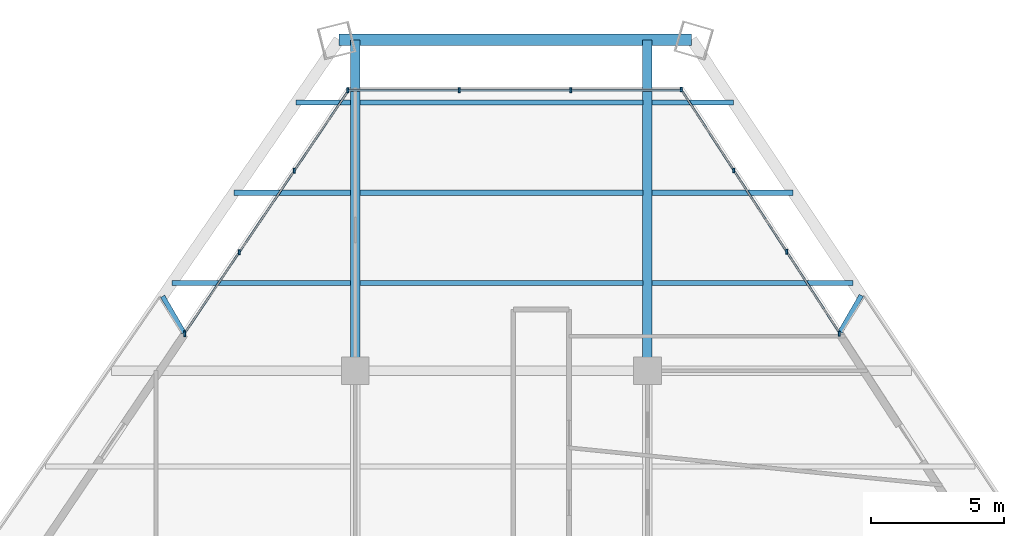
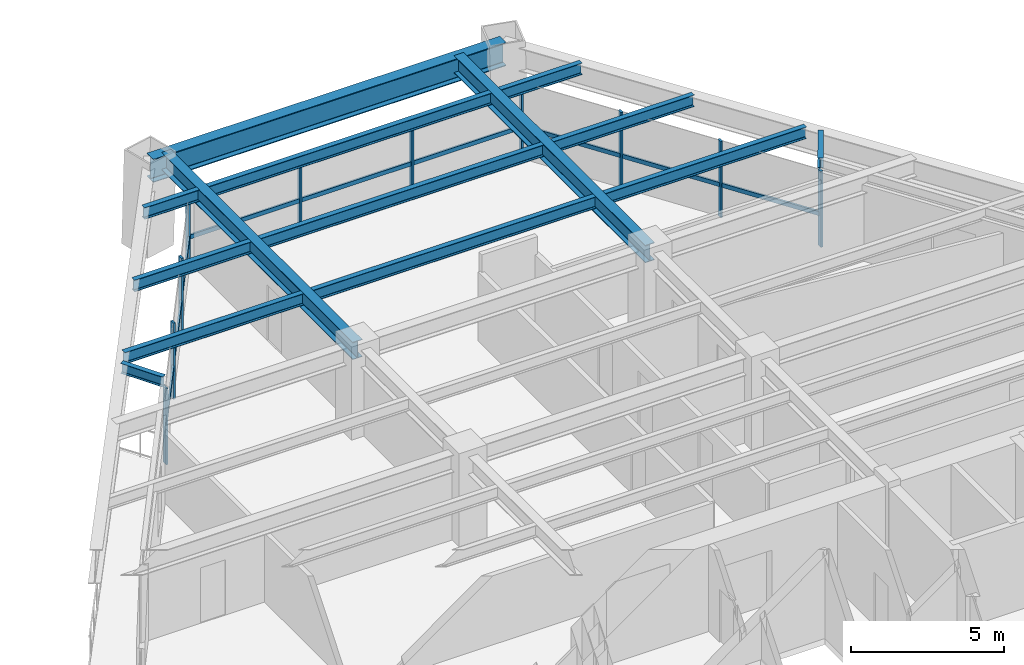
# One storey, part 8 of 14: 20 members, 14 beams, 3 elements without a shape of their own.
"""IFC4 building model written with IfcOpenShell, lengths in metres."""

from ifc_helpers import new_model, si_unit, direction, frame, origin, origin_2d, place, context, subcontext, project, spatial, rectangle, i_section, extrude, source, transform, mapped, material, material_profile, profile_set, type_object, type_shapes, element, aggregate, save


model = new_model("IFC4")

# Units and contexts
model_context = context("Model", 3, precision=1e-05, world=origin(), true_north=direction((0.0, 1.0)))
body_context = subcontext(model_context, "Body", "Model", "MODEL_VIEW")
ifc_project = project(units=[si_unit("LENGTHUNIT", "METRE"), si_unit("AREAUNIT", "SQUARE_METRE"), si_unit("VOLUMEUNIT", "CUBIC_METRE"), si_unit("PLANEANGLEUNIT", "RADIAN"), si_unit("MASSUNIT", "GRAM", prefix="KILO")], contexts=[model_context])

# Site, building, storey
site_placement = place(None, origin())
site = spatial("IfcSite", under=ifc_project, at=site_placement, CompositionType="ELEMENT")
building_placement = place(site_placement, origin())
building = spatial("IfcBuilding", under=site, at=building_placement, Name="Varnakhor Terracotta Tower", CompositionType="ELEMENT")
storey_placement = place(building_placement, frame((0.0, 0.0, 87.699951171875)))
storey = spatial("IfcBuildingStorey", under=building, at=storey_placement, Name="L21", CompositionType="ELEMENT", Elevation=87.699951171875)

# Beams
ifc_material_1 = material(Name="Steel S355", Category="steel")
ifc_material_profile_1 = material_profile(ifc_material_1, i_section(OverallWidth=0.19189453125, OverallDepth=0.462890625, WebThickness=0.010498046875, FlangeThickness=0.017578125, FilletRadius=0.01806640625, at=origin_2d()), Name="W18X60")
ifc_profile_set_1 = profile_set([ifc_material_profile_1], Name="Steel S355")
beam_type_1 = type_object("IfcBeamType", Name="JST-W18X60", PredefinedType="JOIST", material=ifc_profile_set_1)
shared_shape_1 = source(origin(), body_context, "Body", "SweptSolid", [
    extrude(i_section(OverallWidth=0.19189453125, OverallDepth=0.462890625, WebThickness=0.010498046875, FlangeThickness=0.017578125, FilletRadius=0.01806640625, at=origin_2d()), origin(), (0.0, 0.0, 1.0), 10.65283203125),
])
for number, where, z_axis, x_axis, name in (
    (1, (-5.326416015625, 34.800048828125, 3.218505859375), (1.0, 0.0, 0.0), (0.0, 1.0, 0.0), "L21 Composite Floor Joist 7-2"),
    (2, (-5.326416015625, 38.199951171875, 3.218505859375), (1.0, 0.0, 0.0), (0.0, 1.0, 0.0), "L21 Composite Floor Joist 8-2"),
    (3, (-5.326416015625, 41.60009765625, 3.218505859375), (1.0, 0.0, 0.0), (0.0, 1.0, 0.0), "L21 Composite Floor Joist 9-2"),
):
    element("IfcBeam", number, at=place(storey_placement, frame(where, z_axis=z_axis, x_axis=x_axis)), inside=storey, type_object=beam_type_1, Name=name, PredefinedType="JOIST", context=body_context, shape_type="MappedRepresentation", body=[
        mapped(shared_shape_1, transform((0.0, 0.0, 0.0), scale=1.0)),
    ])
ifc_material_profile_2 = material_profile(ifc_material_1, i_section(OverallWidth=0.41796875, OverallDepth=0.927001953125, WebThickness=0.01904296875, FlangeThickness=0.031982421875, FilletRadius=0.01806640625, at=origin_2d()), Name="W36X231")
ifc_profile_set_2 = profile_set([ifc_material_profile_2], Name="Steel S355")
beam_type_2 = type_object("IfcBeamType", Name="BM-W36X231", PredefinedType="BEAM", material=ifc_profile_set_2)
shared_shape_2 = source(origin(), body_context, "Body", "SweptSolid", [
    extrude(i_section(OverallWidth=0.41796875, OverallDepth=0.927001953125, WebThickness=0.01904296875, FlangeThickness=0.031982421875, FilletRadius=0.01806640625, at=origin_2d()), origin(), (0.0, 0.0, 1.0), 13.27294921875),
])
beam_1_placement = place(storey_placement, frame((7.1650390625, 43.959228515625, 2.986572265625), z_axis=(-1.0, 0.0, 0.0), x_axis=(0.0, -1.0, 0.0)))
element("IfcBeam", 4, at=beam_1_placement, inside=storey, type_object=beam_type_2, Name="L21 Perimeter Spandrel 5", PredefinedType="BEAM", context=body_context, shape_type="MappedRepresentation", body=[
    mapped(shared_shape_2, transform((0.0, 0.0, 0.0), scale=1.0)),
])
ifc_material_profile_3 = material_profile(ifc_material_1, i_section(OverallWidth=0.35498046875, OverallDepth=0.695068359375, WebThickness=0.014892578125, FlangeThickness=0.02490234375, FilletRadius=0.01806640625, at=origin_2d()), Name="W27X146")
ifc_profile_set_3 = profile_set([ifc_material_profile_3], Name="Steel S355")
beam_type_3 = type_object("IfcBeamType", Name="BM-W27X146", PredefinedType="BEAM", material=ifc_profile_set_3)
shared_shape_3 = source(origin(), body_context, "Body", "SweptSolid", [
    extrude(i_section(OverallWidth=0.35498046875, OverallDepth=0.695068359375, WebThickness=0.014892578125, FlangeThickness=0.02490234375, FilletRadius=0.01806640625, at=origin_2d()), origin(), (0.0, 0.0, 1.0), 12.459228515625),
])
for number, where, z_axis, x_axis, name in (
    (5, (-5.5, 31.5, 3.1025390625), (0.0, 1.0, 0.0), (-1.0, 0.0, 0.0), "L21 Primary Girder NS3-W"),
    (6, (5.5, 31.5, 3.1025390625), (0.0, 1.0, 0.0), (-1.0, 0.0, 0.0), "L21 Primary Girder NS3-E"),
):
    element("IfcBeam", number, at=place(storey_placement, frame(where, z_axis=z_axis, x_axis=x_axis)), inside=storey, type_object=beam_type_3, Name=name, PredefinedType="BEAM", context=body_context, shape_type="MappedRepresentation", body=[
        mapped(shared_shape_3, transform((0.0, 0.0, 0.0), scale=1.0)),
    ])
shared_shape_4 = source(origin(), body_context, "Body", "SweptSolid", [
    extrude(i_section(OverallWidth=0.19189453125, OverallDepth=0.462890625, WebThickness=0.010498046875, FlangeThickness=0.017578125, FilletRadius=0.01806640625, at=origin_2d()), origin(), (0.0, 0.0, 1.0), 6.732666015625),
])
beam_2_placement = place(storey_placement, frame((-12.40625, 34.800048828125, 3.218505859375), z_axis=(1.0, 0.0, 0.0), x_axis=(0.0, 1.0, 0.0)))
element("IfcBeam", 7, at=beam_2_placement, inside=storey, type_object=beam_type_1, Name="L21 Composite Floor Joist 7-1", PredefinedType="JOIST", context=body_context, shape_type="MappedRepresentation", body=[
    mapped(shared_shape_4, transform((0.0, 0.0, 0.0), scale=1.0)),
])
shared_shape_5 = source(origin(), body_context, "Body", "SweptSolid", [
    extrude(i_section(OverallWidth=0.19189453125, OverallDepth=0.462890625, WebThickness=0.010498046875, FlangeThickness=0.017578125, FilletRadius=0.01806640625, at=origin_2d()), origin(), (0.0, 0.0, 1.0), 7.56982421875),
])
beam_3_placement = place(storey_placement, frame((5.673583984375, 34.800048828125, 3.218505859375), z_axis=(1.0, 0.0, 0.0), x_axis=(0.0, 1.0, 0.0)))
element("IfcBeam", 8, at=beam_3_placement, inside=storey, type_object=beam_type_1, Name="L21 Composite Floor Joist 7-3", PredefinedType="JOIST", context=body_context, shape_type="MappedRepresentation", body=[
    mapped(shared_shape_5, transform((0.0, 0.0, 0.0), scale=1.0)),
])
shared_shape_6 = source(origin(), body_context, "Body", "SweptSolid", [
    extrude(i_section(OverallWidth=0.19189453125, OverallDepth=0.462890625, WebThickness=0.010498046875, FlangeThickness=0.017578125, FilletRadius=0.01806640625, at=origin_2d()), origin(), (0.0, 0.0, 1.0), 4.394775390625),
])
beam_4_placement = place(storey_placement, frame((-10.068359375, 38.199951171875, 3.218505859375), z_axis=(1.0, 0.0, 0.0), x_axis=(0.0, 1.0, 0.0)))
element("IfcBeam", 9, at=beam_4_placement, inside=storey, type_object=beam_type_1, Name="L21 Composite Floor Joist 8-1", PredefinedType="JOIST", context=body_context, shape_type="MappedRepresentation", body=[
    mapped(shared_shape_6, transform((0.0, 0.0, 0.0), scale=1.0)),
])
shared_shape_7 = source(origin(), body_context, "Body", "SweptSolid", [
    extrude(i_section(OverallWidth=0.19189453125, OverallDepth=0.462890625, WebThickness=0.010498046875, FlangeThickness=0.017578125, FilletRadius=0.01806640625, at=origin_2d()), origin(), (0.0, 0.0, 1.0), 5.3134765625),
])
beam_5_placement = place(storey_placement, frame((5.673583984375, 38.199951171875, 3.218505859375), z_axis=(1.0, 0.0, 0.0), x_axis=(0.0, 1.0, 0.0)))
element("IfcBeam", 10, at=beam_5_placement, inside=storey, type_object=beam_type_1, Name="L21 Composite Floor Joist 8-3", PredefinedType="JOIST", context=body_context, shape_type="MappedRepresentation", body=[
    mapped(shared_shape_7, transform((0.0, 0.0, 0.0), scale=1.0)),
])
shared_shape_8 = source(origin(), body_context, "Body", "SweptSolid", [
    extrude(i_section(OverallWidth=0.19189453125, OverallDepth=0.462890625, WebThickness=0.010498046875, FlangeThickness=0.017578125, FilletRadius=0.01806640625, at=origin_2d()), origin(), (0.0, 0.0, 1.0), 2.056640625),
])
beam_6_placement = place(storey_placement, frame((-7.730224609375, 41.60009765625, 3.218505859375), z_axis=(1.0, 0.0, 0.0), x_axis=(0.0, 1.0, 0.0)))
element("IfcBeam", 11, at=beam_6_placement, inside=storey, type_object=beam_type_1, Name="L21 Composite Floor Joist 9-1", PredefinedType="JOIST", context=body_context, shape_type="MappedRepresentation", body=[
    mapped(shared_shape_8, transform((0.0, 0.0, 0.0), scale=1.0)),
])
shared_shape_9 = source(origin(), body_context, "Body", "SweptSolid", [
    extrude(i_section(OverallWidth=0.19189453125, OverallDepth=0.462890625, WebThickness=0.010498046875, FlangeThickness=0.017578125, FilletRadius=0.01806640625, at=origin_2d()), origin(), (0.0, 0.0, 1.0), 3.05712890625),
])
beam_7_placement = place(storey_placement, frame((5.673583984375, 41.60009765625, 3.218505859375), z_axis=(1.0, 0.0, 0.0), x_axis=(0.0, 1.0, 0.0)))
element("IfcBeam", 12, at=beam_7_placement, inside=storey, type_object=beam_type_1, Name="L21 Composite Floor Joist 9-3", PredefinedType="JOIST", context=body_context, shape_type="MappedRepresentation", body=[
    mapped(shared_shape_9, transform((0.0, 0.0, 0.0), scale=1.0)),
])

# Curtain wall, members
ifc_material_2 = material(Name="Anodised Aluminium Curtain Wall System", Category="aluminium")
curtain_wall_type = type_object("IfcCurtainWallType", Name="CW-SYS-LOW-OFFICE", PredefinedType="NOTDEFINED", material=ifc_material_2)
curtain_wall_1_placement = place(storey_placement, origin())
curtain_wall_1 = element("IfcCurtainWall", 13, at=curtain_wall_1_placement, inside=storey, type_object=curtain_wall_type, Name="L21 W Facet Curtain Wall 2", PredefinedType="NOTDEFINED")
ifc_material_3 = material(Name="Anodised Aluminium 6063-T6", Category="aluminium")
ifc_material_profile_4 = material_profile(ifc_material_3, rectangle(XDim=0.074951171875, YDim=0.18505859375, at=origin_2d()), Name="ALU MULLION 75x185")
ifc_profile_set_4 = profile_set([ifc_material_profile_4], Name="Anodised Aluminium 6063-T6")
member_type_1 = type_object("IfcMemberType", Name="CWM-02", PredefinedType="MULLION", material=ifc_profile_set_4)
shared_shape_10 = source(origin(), body_context, "Body", "SweptSolid", [
    extrude(rectangle(XDim=0.074951171875, YDim=0.18505859375, at=origin_2d()), origin(), (0.0, 0.0, 1.0), 3.030029296875),
])
type_shapes(member_type_1, [shared_shape_10])
member_1_placement = place(storey_placement, frame((-11.9267578125, 32.903564453125, 0.0), z_axis=(0.0, 0.0, 1.0), x_axis=(1.0, 0.0, 0.0)))
member_1 = element("IfcMember", 14, at=member_1_placement, type_object=member_type_1, Name="L21 W Facet Curtain Wall 2 Mullion 1", PredefinedType="MULLION", context=body_context, shape_type="MappedRepresentation", body=[
    mapped(shared_shape_10, transform((0.0, 0.0, 0.0), scale=1.0)),
])
member_2_placement = place(storey_placement, frame((-9.861083984375, 35.964599609375, 0.0), z_axis=(0.0, 0.0, 1.0), x_axis=(1.0, 0.0, 0.0)))
member_2 = element("IfcMember", 15, at=member_2_placement, type_object=member_type_1, Name="L21 W Facet Curtain Wall 2 Mullion 2", PredefinedType="MULLION", context=body_context, shape_type="MappedRepresentation", body=[
    mapped(shared_shape_10, transform((0.0, 0.0, 0.0), scale=1.0)),
])
member_3_placement = place(storey_placement, frame((-7.7958984375, 39.025390625, 0.0), z_axis=(0.0, 0.0, 1.0), x_axis=(1.0, 0.0, 0.0)))
member_3 = element("IfcMember", 16, at=member_3_placement, type_object=member_type_1, Name="L21 W Facet Curtain Wall 2 Mullion 3", PredefinedType="MULLION", context=body_context, shape_type="MappedRepresentation", body=[
    mapped(shared_shape_10, transform((0.0, 0.0, 0.0), scale=1.0)),
])
member_4_placement = place(storey_placement, frame((-11.927001953125, 32.867431640625, 0.0), z_axis=(0.0, 0.0, 1.0), x_axis=(1.0, 0.0, 0.0)))
member_4 = element("IfcMember", 17, at=member_4_placement, type_object=member_type_1, Name="L21 W Loggia Jamb Closure Mullion 2", PredefinedType="MULLION", context=body_context, shape_type="MappedRepresentation", body=[
    mapped(shared_shape_10, transform((0.0, 0.0, 0.0), scale=1.0)),
])

curtain_wall_2_placement = place(storey_placement, origin())
curtain_wall_2 = element("IfcCurtainWall", 18, at=curtain_wall_2_placement, inside=storey, type_object=curtain_wall_type, Name="L21 Facet Curtain Wall 2", PredefinedType="NOTDEFINED")
member_5_placement = place(storey_placement, frame((-5.782958984375, 42.05859375, 0.0), z_axis=(0.0, 0.0, 1.0), x_axis=(1.0, 0.0, 0.0)))
member_5 = element("IfcMember", 19, at=member_5_placement, type_object=member_type_1, Name="L21 Facet Curtain Wall 2 Mullion 1", PredefinedType="MULLION", context=body_context, shape_type="MappedRepresentation", body=[
    mapped(shared_shape_10, transform((0.0, 0.0, 0.0), scale=1.0)),
])
member_6_placement = place(storey_placement, frame((-1.58056640625, 42.05859375, 0.0), z_axis=(0.0, 0.0, 1.0), x_axis=(1.0, 0.0, 0.0)))
member_6 = element("IfcMember", 20, at=member_6_placement, type_object=member_type_1, Name="L21 Facet Curtain Wall 2 Mullion 2", PredefinedType="MULLION", context=body_context, shape_type="MappedRepresentation", body=[
    mapped(shared_shape_10, transform((0.0, 0.0, 0.0), scale=1.0)),
])
member_7_placement = place(storey_placement, frame((2.6220703125, 42.05859375, 0.0), z_axis=(0.0, 0.0, 1.0), x_axis=(1.0, 0.0, 0.0)))
member_7 = element("IfcMember", 21, at=member_7_placement, type_object=member_type_1, Name="L21 Facet Curtain Wall 2 Mullion 3", PredefinedType="MULLION", context=body_context, shape_type="MappedRepresentation", body=[
    mapped(shared_shape_10, transform((0.0, 0.0, 0.0), scale=1.0)),
])

curtain_wall_3_placement = place(storey_placement, origin())
curtain_wall_3 = element("IfcCurtainWall", 22, at=curtain_wall_3_placement, inside=storey, type_object=curtain_wall_type, Name="L21 E Facet Curtain Wall 1", PredefinedType="NOTDEFINED")
member_8_placement = place(storey_placement, frame((6.770263671875, 42.087890625, 0.0), z_axis=(0.0, 0.0, 1.0), x_axis=(1.0, 0.0, 0.0)))
member_8 = element("IfcMember", 23, at=member_8_placement, type_object=member_type_1, Name="L21 E Facet Curtain Wall 1 Mullion 1", PredefinedType="MULLION", context=body_context, shape_type="MappedRepresentation", body=[
    mapped(shared_shape_10, transform((0.0, 0.0, 0.0), scale=1.0)),
])
member_9_placement = place(storey_placement, frame((8.75341796875, 39.037109375, 0.0), z_axis=(0.0, 0.0, 1.0), x_axis=(1.0, 0.0, 0.0)))
member_9 = element("IfcMember", 24, at=member_9_placement, type_object=member_type_1, Name="L21 E Facet Curtain Wall 1 Mullion 2", PredefinedType="MULLION", context=body_context, shape_type="MappedRepresentation", body=[
    mapped(shared_shape_10, transform((0.0, 0.0, 0.0), scale=1.0)),
])
member_10_placement = place(storey_placement, frame((10.73681640625, 35.986328125, 0.0), z_axis=(0.0, 0.0, 1.0), x_axis=(1.0, 0.0, 0.0)))
member_10 = element("IfcMember", 25, at=member_10_placement, type_object=member_type_1, Name="L21 E Facet Curtain Wall 1 Mullion 3", PredefinedType="MULLION", context=body_context, shape_type="MappedRepresentation", body=[
    mapped(shared_shape_10, transform((0.0, 0.0, 0.0), scale=1.0)),
])
member_11_placement = place(storey_placement, frame((12.719482421875, 32.8994140625, 0.0), z_axis=(0.0, 0.0, 1.0), x_axis=(1.0, 0.0, 0.0)))
member_11 = element("IfcMember", 26, at=member_11_placement, type_object=member_type_1, Name="L21 E Loggia Jamb Closure Mullion 1", PredefinedType="MULLION", context=body_context, shape_type="MappedRepresentation", body=[
    mapped(shared_shape_10, transform((0.0, 0.0, 0.0), scale=1.0)),
])

# Member
ifc_material_profile_5 = material_profile(ifc_material_3, rectangle(XDim=0.074951171875, YDim=0.1650390625, at=origin_2d()), Name="ALU TRANSOM 75x165")
ifc_profile_set_5 = profile_set([ifc_material_profile_5], Name="Anodised Aluminium 6063-T6")
member_type_2 = type_object("IfcMemberType", Name="CWT-02", PredefinedType="USERDEFINED", material=ifc_profile_set_5)
shared_shape_11 = source(origin(), body_context, "Body", "SweptSolid", [
    extrude(rectangle(XDim=0.074951171875, YDim=0.1650390625, at=origin_2d()), origin(), (0.0, 0.0, 1.0), 3.69287109375),
])
member_12_placement = place(storey_placement, frame((-11.9267578125, 32.903564453125, 1.272705078125), z_axis=(0.559375201518, 0.828914581803, 0.0), x_axis=(-0.828914581803, 0.559375201518, 0.0)))
member_12 = element("IfcMember", 27, at=member_12_placement, type_object=member_type_2, Name="L21 W Facet Curtain Wall 2 Transom 1", ObjectType="TRANSOM", PredefinedType="USERDEFINED", context=body_context, shape_type="MappedRepresentation", body=[
    mapped(shared_shape_11, transform((0.0, 0.0, 0.0), scale=1.0)),
])

member_13_placement = place(storey_placement, frame((-7.7958984375, 39.025390625, 1.272705078125), z_axis=(0.559375201518, 0.828914581803, 0.0), x_axis=(-0.828914581803, 0.559375201518, 0.0)))
member_13 = element("IfcMember", 28, at=member_13_placement, type_object=member_type_2, Name="L21 W Facet Curtain Wall 2 Transom 3", ObjectType="TRANSOM", PredefinedType="USERDEFINED", context=body_context, shape_type="MappedRepresentation", body=[
    mapped(shared_shape_11, transform((0.0, 0.0, 0.0), scale=1.0)),
])

shared_shape_12 = source(origin(), body_context, "Body", "SweptSolid", [
    extrude(rectangle(XDim=0.074951171875, YDim=0.1650390625, at=origin_2d()), origin(), (0.0, 0.0, 1.0), 3.6923828125),
])
member_14_placement = place(storey_placement, frame((-9.861083984375, 35.964599609375, 1.272705078125), z_axis=(0.559314995526, 0.828955207342, 0.0), x_axis=(-0.828955207342, 0.559314995526, 0.0)))
member_14 = element("IfcMember", 29, at=member_14_placement, type_object=member_type_2, Name="L21 W Facet Curtain Wall 2 Transom 2", ObjectType="TRANSOM", PredefinedType="USERDEFINED", context=body_context, shape_type="MappedRepresentation", body=[
    mapped(shared_shape_12, transform((0.0, 0.0, 0.0), scale=1.0)),
])

aggregate(curtain_wall_1, [member_1, member_12, member_2, member_14, member_3, member_13, member_4])

shared_shape_13 = source(origin(), body_context, "Body", "SweptSolid", [
    extrude(rectangle(XDim=0.074951171875, YDim=0.1650390625, at=origin_2d()), origin(), (0.0, 0.0, 1.0), 4.202392578125),
])
member_15_placement = place(storey_placement, frame((-5.782958984375, 42.05859375, 1.272705078125), z_axis=(1.0, 0.0, 0.0), x_axis=(0.0, 1.0, 0.0)))
member_15 = element("IfcMember", 30, at=member_15_placement, type_object=member_type_2, Name="L21 Facet Curtain Wall 2 Transom 1", ObjectType="TRANSOM", PredefinedType="USERDEFINED", context=body_context, shape_type="MappedRepresentation", body=[
    mapped(shared_shape_13, transform((0.0, 0.0, 0.0), scale=1.0)),
])

member_16_placement = place(storey_placement, frame((2.6220703125, 42.05859375, 1.272705078125), z_axis=(1.0, 0.0, 0.0), x_axis=(0.0, 1.0, 0.0)))
member_16 = element("IfcMember", 31, at=member_16_placement, type_object=member_type_2, Name="L21 Facet Curtain Wall 2 Transom 3", ObjectType="TRANSOM", PredefinedType="USERDEFINED", context=body_context, shape_type="MappedRepresentation", body=[
    mapped(shared_shape_13, transform((0.0, 0.0, 0.0), scale=1.0)),
])

shared_shape_14 = source(origin(), body_context, "Body", "SweptSolid", [
    extrude(rectangle(XDim=0.074951171875, YDim=0.1650390625, at=origin_2d()), origin(), (0.0, 0.0, 1.0), 4.20263671875),
])
member_17_placement = place(storey_placement, frame((-1.58056640625, 42.05859375, 1.272705078125), z_axis=(1.0, 0.0, 0.0), x_axis=(0.0, 1.0, 0.0)))
member_17 = element("IfcMember", 32, at=member_17_placement, type_object=member_type_2, Name="L21 Facet Curtain Wall 2 Transom 2", ObjectType="TRANSOM", PredefinedType="USERDEFINED", context=body_context, shape_type="MappedRepresentation", body=[
    mapped(shared_shape_14, transform((0.0, 0.0, 0.0), scale=1.0)),
])

aggregate(curtain_wall_2, [member_5, member_15, member_6, member_17, member_7, member_16])

shared_shape_15 = source(origin(), body_context, "Body", "SweptSolid", [
    extrude(rectangle(XDim=0.074951171875, YDim=0.1650390625, at=origin_2d()), origin(), (0.0, 0.0, 1.0), 3.638671875),
])
member_18_placement = place(storey_placement, frame((6.770263671875, 42.087890625, 1.272705078125), z_axis=(0.545016650667, -0.838425220575, 0.0), x_axis=(0.838425220575, 0.545016650667, 0.0)))
member_18 = element("IfcMember", 33, at=member_18_placement, type_object=member_type_2, Name="L21 E Facet Curtain Wall 1 Transom 1", ObjectType="TRANSOM", PredefinedType="USERDEFINED", context=body_context, shape_type="MappedRepresentation", body=[
    mapped(shared_shape_15, transform((0.0, 0.0, 0.0), scale=1.0)),
])

member_19_placement = place(storey_placement, frame((10.73681640625, 35.986328125, 1.272705078125), z_axis=(0.545016650667, -0.838425220575, 0.0), x_axis=(0.838425220575, 0.545016650667, 0.0)))
member_19 = element("IfcMember", 34, at=member_19_placement, type_object=member_type_2, Name="L21 E Facet Curtain Wall 1 Transom 3", ObjectType="TRANSOM", PredefinedType="USERDEFINED", context=body_context, shape_type="MappedRepresentation", body=[
    mapped(shared_shape_15, transform((0.0, 0.0, 0.0), scale=1.0)),
])

shared_shape_16 = source(origin(), body_context, "Body", "SweptSolid", [
    extrude(rectangle(XDim=0.074951171875, YDim=0.1650390625, at=origin_2d()), origin(), (0.0, 0.0, 1.0), 3.638916015625),
])
member_20_placement = place(storey_placement, frame((8.75341796875, 39.037109375, 1.272705078125), z_axis=(0.545063813313, -0.838394560703, 0.0), x_axis=(0.838394560703, 0.545063813313, 0.0)))
member_20 = element("IfcMember", 35, at=member_20_placement, type_object=member_type_2, Name="L21 E Facet Curtain Wall 1 Transom 2", ObjectType="TRANSOM", PredefinedType="USERDEFINED", context=body_context, shape_type="MappedRepresentation", body=[
    mapped(shared_shape_16, transform((0.0, 0.0, 0.0), scale=1.0)),
])

aggregate(curtain_wall_3, [member_8, member_18, member_9, member_20, member_10, member_19, member_11])

# Beams
ifc_material_profile_6 = material_profile(ifc_material_1, i_section(OverallWidth=0.179931640625, OverallDepth=0.39990234375, WebThickness=0.008544921875, FlangeThickness=0.013427734375, FilletRadius=0.01806640625, at=origin_2d()), Name="IPE400")
ifc_profile_set_6 = profile_set([ifc_material_profile_6], Name="Steel S355")
beam_type_4 = type_object("IfcBeamType", Name="JST-IPE400", PredefinedType="JOIST", material=ifc_profile_set_6)
shared_shape_17 = source(origin(), body_context, "Body", "SweptSolid", [
    extrude(i_section(OverallWidth=0.179931640625, OverallDepth=0.39990234375, WebThickness=0.008544921875, FlangeThickness=0.013427734375, FilletRadius=0.01806640625, at=origin_2d()), origin(), (0.0, 0.0, 1.0), 1.586181640625),
])
for number, where, z_axis, x_axis, name in (
    (36, (12.757568359375, 32.960693359375, 3.25), (0.501466989114, 0.865176778947, 0.0), (-0.865176778947, 0.501466989114, 0.0), "L22 E Loggia Tie Beam 1"),
    (37, (-11.953125, 32.9287109375, 3.25), (-0.502540199185, 0.864553843438, 0.0), (-0.864553843438, -0.502540199185, 0.0), "L22 W Loggia Tie Beam 2"),
):
    element("IfcBeam", number, at=place(storey_placement, frame(where, z_axis=z_axis, x_axis=x_axis)), inside=storey, type_object=beam_type_4, Name=name, PredefinedType="JOIST", context=body_context, shape_type="MappedRepresentation", body=[
        mapped(shared_shape_17, transform((0.0, 0.0, 0.0), scale=1.0)),
    ])

save(model, "model.ifc")
